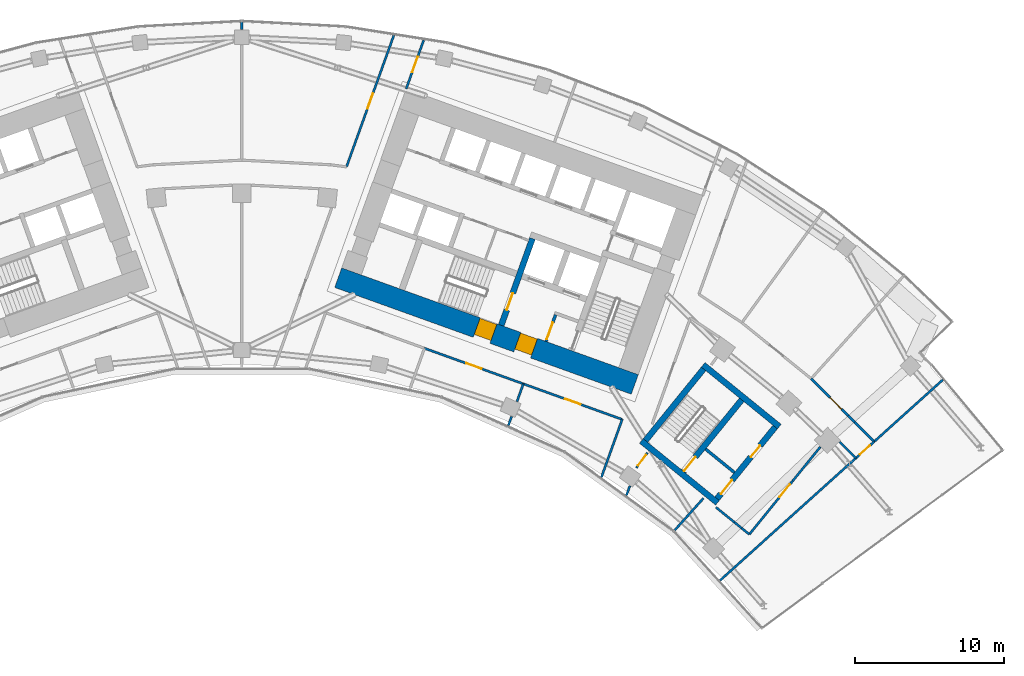
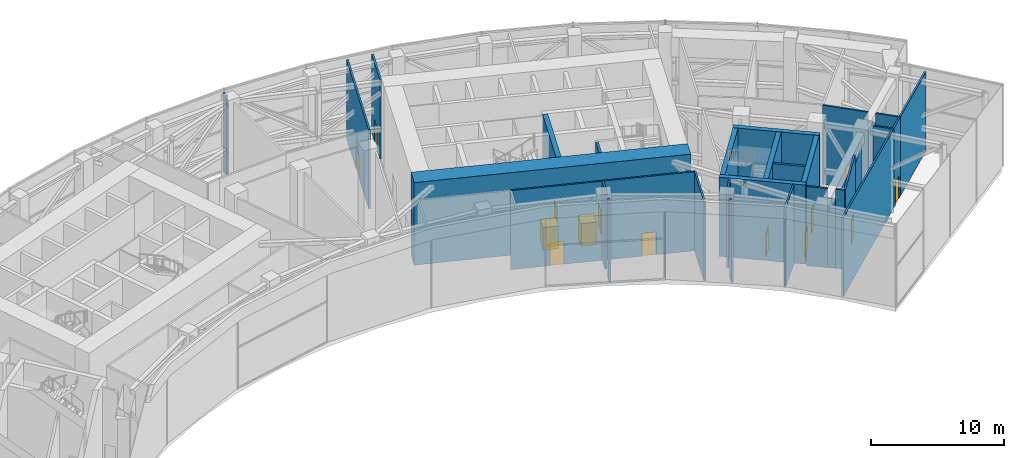
# One storey, part 26 of 32: 32 walls, 15 doors, 15 openings.
"""IFC4 building model written with IfcOpenShell, lengths in metres."""

from ifc_helpers import new_model, si_unit, direction, frame, frame_2d, origin, place, context, subcontext, project, spatial, rectangle, extrude, material, layer, layer_set, type_object, element, fill, save


model = new_model("IFC4")

# Units and contexts
model_context = context("Model", 3, precision=1e-05, world=origin(), true_north=direction((0.0, 1.0)))
body_context = subcontext(model_context, "Body", "Model", "MODEL_VIEW")
ifc_project = project(units=[si_unit("LENGTHUNIT", "METRE"), si_unit("AREAUNIT", "SQUARE_METRE"), si_unit("VOLUMEUNIT", "CUBIC_METRE"), si_unit("PLANEANGLEUNIT", "RADIAN"), si_unit("MASSUNIT", "GRAM", prefix="KILO")], contexts=[model_context])

# Site, building, storey
site_placement = place(None, origin())
site = spatial("IfcSite", under=ifc_project, at=site_placement, CompositionType="ELEMENT")
building_placement = place(site_placement, origin())
building = spatial("IfcBuilding", under=site, at=building_placement, Name="Stone Belt Terrace Tower", CompositionType="ELEMENT")
storey_placement = place(building_placement, frame((0.0, 0.0, 193.39990234375)))
storey = spatial("IfcBuildingStorey", under=building, at=storey_placement, Name="L47", CompositionType="ELEMENT", Elevation=193.39990234375)

# Wall, openings, doors
ifc_material_1 = material(Name="Concrete B80", Category="concrete")
ifc_layer_1 = layer(ifc_material_1, 1.39990234375)
ifc_layer_set_1 = layer_set([ifc_layer_1], Name="Core wall 1400 B80")
wall_type_1 = type_object("IfcWallType", Name="Core wall 1400 B80", PredefinedType="SHEAR", material=ifc_layer_set_1)
wall_1_placement = place(storey_placement, frame((6.4833984375, 49.318115234375, 0.0), z_axis=(0.0, 0.0, 1.0), x_axis=(0.940923374003, -0.33861955681, 0.0)))
wall_1 = element("IfcWall", 1, at=wall_1_placement, inside=storey, type_object=wall_type_1, Name="Core B wall concave L47", PredefinedType="SHEAR", context=body_context, shape_type="SweptSolid", body=[
    extrude(rectangle(XDim=21.199951171875, YDim=1.39990234375, at=frame_2d((10.60009765625, 0.0))), origin(), (0.0, 0.0, 1.0), 7.60009765625),
])
opening_1_placement = place(wall_1_placement, frame((12.800048828125, 0.0, 0.0)))
opening_1 = element("IfcOpeningElement", 2, at=opening_1_placement, cuts=wall_1, Name="Opening L47-C21", PredefinedType="OPENING", context=body_context, shape_type="SweptSolid", body=[
    extrude(rectangle(XDim=1.199951171875, YDim=2.10009765625, at=frame_2d((0.60009765625, 1.050048828125))), frame((0.0, 0.7099609375, 0.0), z_axis=(0.0, -1.0, 0.0), x_axis=(1.0, 0.0, 0.0)), (0.0, 0.0, 1.0), 1.419921875),
])
opening_2_placement = place(wall_1_placement, frame((9.89990234375, 0.0, 0.0)))
opening_2 = element("IfcOpeningElement", 3, at=opening_2_placement, cuts=wall_1, Name="Opening L47-C23", PredefinedType="OPENING", context=body_context, shape_type="SweptSolid", body=[
    extrude(rectangle(XDim=1.199951171875, YDim=2.10009765625, at=frame_2d((0.60009765625, 1.050048828125))), frame((0.0, 0.7099609375, 0.0), z_axis=(0.0, -1.0, 0.0), x_axis=(1.0, 0.0, 0.0)), (0.0, 0.0, 1.0), 1.419921875),
])
ifc_material_2 = material(Name="Steel door leaf", Category="steel")
door_type_1 = type_object("IfcDoorType", Name="Fire-fighting lobby door 1200", OperationType="SINGLE_SWING_LEFT", PredefinedType="DOOR", material=ifc_material_2)
door_1_placement = place(opening_1_placement, origin())
door_1 = element("IfcDoor", 4, at=door_1_placement, inside=storey, type_object=door_type_1, Name="Fire-fighting lobby door core B", OperationType="SINGLE_SWING_LEFT", OverallHeight=2.10009765625, OverallWidth=1.199951171875, PredefinedType="DOOR", context=body_context, shape_type="SweptSolid", body=[
    extrude(rectangle(XDim=1.199951171875, YDim=2.10009765625, at=frame_2d((0.60009765625, 1.050048828125))), frame((0.0, 0.655029296875, 0.0), z_axis=(0.0, -1.0, 0.0), x_axis=(1.0, 0.0, 0.0)), (0.0, 0.0, 1.0), 1.14990234375),
])
fill(opening_1, door_1)
door_type_2 = type_object("IfcDoorType", Name="Stair door 1200", OperationType="SINGLE_SWING_LEFT", PredefinedType="DOOR", material=ifc_material_2)
door_2_placement = place(opening_2_placement, origin())
door_2 = element("IfcDoor", 5, at=door_2_placement, inside=storey, type_object=door_type_2, Name="Stair 2 exit door core B", OperationType="SINGLE_SWING_RIGHT", OverallHeight=2.10009765625, OverallWidth=1.199951171875, PredefinedType="DOOR", context=body_context, shape_type="SweptSolid", body=[
    extrude(rectangle(XDim=1.199951171875, YDim=2.10009765625, at=frame_2d((0.60009765625, 1.050048828125))), frame((0.0, 0.655029296875, 0.0), z_axis=(0.0, -1.0, 0.0), x_axis=(1.0, 0.0, 0.0)), (0.0, 0.0, 1.0), 1.14990234375),
])
fill(opening_2, door_2)

# Wall, opening, door
ifc_material_3 = material(Name="Gypsum board partition")
ifc_layer_2 = layer(ifc_material_3, 0.14990234375)
ifc_layer_set_2 = layer_set([ifc_layer_2], Name="PARTITION 150 EI 60")
wall_type_2 = type_object("IfcWallType", Name="PARTITION 150 EI 60", PredefinedType="PARTITIONING", material=ifc_layer_set_2)
wall_2_placement = place(storey_placement, frame((12.23486328125, 65.297119140625, 0.0), z_axis=(0.0, 0.0, 1.0), x_axis=(-0.338853532575, -0.94083913793, 0.0)))
wall_2 = element("IfcWall", 6, at=wall_2_placement, inside=storey, type_object=wall_type_2, Name="L47/wall/i020", PredefinedType="PARTITIONING", context=body_context, shape_type="SweptSolid", body=[
    extrude(rectangle(XDim=3.482177734375, YDim=0.14990234375, at=frame_2d((1.7412109375, 0.0))), origin(), (0.0, 0.0, 1.0), 7.280029296875),
])
opening_3_placement = place(wall_2_placement, frame((1.19091796875, 0.0, 0.0)))
opening_3 = element("IfcOpeningElement", 7, at=opening_3_placement, cuts=wall_2, Name="Opening D-T3-09", PredefinedType="OPENING", context=body_context, shape_type="SweptSolid", body=[
    extrude(rectangle(XDim=1.10009765625, YDim=2.10009765625, at=frame_2d((0.550048828125, 1.050048828125))), frame((0.0, 0.0849609375, 0.0), z_axis=(0.0, -1.0, 0.0), x_axis=(1.0, 0.0, 0.0)), (0.0, 0.0, 1.0), 0.169921875),
])
ifc_material_4 = material(Name="Steel fire door set", Category="steel")
door_type_3 = type_object("IfcDoorType", Name="SERVICE ROOM DOOR 1100 X 2100", OperationType="NOTDEFINED", PredefinedType="DOOR", material=ifc_material_4)
door_3_placement = place(opening_3_placement, origin())
door_3 = element("IfcDoor", 8, at=door_3_placement, inside=storey, type_object=door_type_3, Name="L47/door/i09", OperationType="SINGLE_SWING_RIGHT", OverallHeight=2.10009765625, OverallWidth=1.10009765625, PredefinedType="DOOR", context=body_context, shape_type="SweptSolid", body=[
    extrude(rectangle(XDim=1.10009765625, YDim=2.10009765625, at=frame_2d((0.550048828125, 1.050048828125))), frame((0.0, 0.02490234375, 0.0), z_axis=(0.0, -1.0, 0.0), x_axis=(1.0, 0.0, 0.0)), (0.0, 0.0, 1.0), 0.050048828125),
])
fill(opening_3, door_3)

wall_3_placement = place(storey_placement, frame((7.0390625, 56.76708984375, 0.0), z_axis=(0.0, 0.0, 1.0), x_axis=(0.338637655092, 0.940916860596, 0.0)))
wall_3 = element("IfcWall", 9, at=wall_3_placement, inside=storey, type_object=wall_type_2, Name="L47/wall/i022", PredefinedType="PARTITIONING", context=body_context, shape_type="SweptSolid", body=[
    extrude(rectangle(XDim=9.40478515625, YDim=0.14990234375, at=frame_2d((4.702392578125, 0.0))), origin(), (0.0, 0.0, 1.0), 7.280029296875),
])
opening_4_placement = place(wall_3_placement, frame((4.15234375, 0.0, 0.0)))
opening_4 = element("IfcOpeningElement", 10, at=opening_4_placement, cuts=wall_3, Name="Opening D-T3-29", PredefinedType="OPENING", context=body_context, shape_type="SweptSolid", body=[
    extrude(rectangle(XDim=1.10009765625, YDim=2.10009765625, at=frame_2d((0.550048828125, 1.050048828125))), frame((0.0, 0.0849609375, 0.0), z_axis=(0.0, -1.0, 0.0), x_axis=(1.0, 0.0, 0.0)), (0.0, 0.0, 1.0), 0.169921875),
])
door_4_placement = place(opening_4_placement, origin())
door_4 = element("IfcDoor", 11, at=door_4_placement, inside=storey, type_object=door_type_3, Name="L47/door/i29", OperationType="SINGLE_SWING_RIGHT", OverallHeight=2.10009765625, OverallWidth=1.10009765625, PredefinedType="DOOR", context=body_context, shape_type="SweptSolid", body=[
    extrude(rectangle(XDim=1.10009765625, YDim=2.10009765625, at=frame_2d((0.550048828125, 1.050048828125))), frame((0.0, 0.02490234375, 0.0), z_axis=(0.0, -1.0, 0.0), x_axis=(1.0, 0.0, 0.0)), (0.0, 0.0, 1.0), 0.050048828125),
])
fill(opening_4, door_4)

# Wall
wall_4_placement = place(storey_placement, frame((24.18603515625, 35.902099609375, 0.0), z_axis=(0.0, 0.0, 1.0), x_axis=(0.338545933013, 0.940949866486, 0.0)))
element("IfcWall", 12, at=wall_4_placement, inside=storey, type_object=wall_type_2, Name="L47/wall/i023", PredefinedType="PARTITIONING", context=body_context, shape_type="SweptSolid", body=[
    extrude(rectangle(XDim=4.135009765625, YDim=0.14990234375, at=frame_2d((2.0673828125, 0.0))), origin(), (0.0, 0.0, 1.0), 7.280029296875),
])

# Wall, opening, door
wall_5_placement = place(storey_placement, frame((27.282958984375, 37.552001953125, 0.0), z_axis=(0.0, 0.0, 1.0), x_axis=(-0.587851817093, -0.808968628032, 0.0)))
wall_5 = element("IfcWall", 13, at=wall_5_placement, inside=storey, type_object=wall_type_2, Name="L47/wall/i026", PredefinedType="PARTITIONING", context=body_context, shape_type="SweptSolid", body=[
    extrude(rectangle(XDim=1.270751953125, YDim=0.14990234375, at=frame_2d((0.63525390625, 0.0))), origin(), (0.0, 0.0, 1.0), 7.280029296875),
])
opening_5_placement = place(wall_5_placement, frame((0.185302734375, 0.0, 0.0)))
opening_5 = element("IfcOpeningElement", 14, at=opening_5_placement, cuts=wall_5, Name="Opening D-T3-21", PredefinedType="OPENING", context=body_context, shape_type="SweptSolid", body=[
    extrude(rectangle(XDim=0.89990234375, YDim=2.10009765625, at=frame_2d((0.449951171875, 1.050048828125))), frame((0.0, 0.0849609375, 0.0), z_axis=(0.0, -1.0, 0.0), x_axis=(1.0, 0.0, 0.0)), (0.0, 0.0, 1.0), 0.169921875),
])
door_type_4 = type_object("IfcDoorType", Name="SERVICE ROOM DOOR 900 X 2100", OperationType="NOTDEFINED", PredefinedType="DOOR", material=ifc_material_4)
door_5_placement = place(opening_5_placement, origin())
door_5 = element("IfcDoor", 15, at=door_5_placement, inside=storey, type_object=door_type_4, Name="L47/door/i21", OperationType="SINGLE_SWING_RIGHT", OverallHeight=2.10009765625, OverallWidth=0.89990234375, PredefinedType="DOOR", context=body_context, shape_type="SweptSolid", body=[
    extrude(rectangle(XDim=0.89990234375, YDim=2.10009765625, at=frame_2d((0.449951171875, 1.050048828125))), frame((0.0, 0.02490234375, 0.0), z_axis=(0.0, -1.0, 0.0), x_axis=(1.0, 0.0, 0.0)), (0.0, 0.0, 1.0), 0.050048828125),
])
fill(opening_5, door_5)

# Wall
wall_6_placement = place(storey_placement, frame((26.101318359375, 35.318115234375, 0.0), z_axis=(0.0, 0.0, 1.0), x_axis=(-0.339176971689, -0.940722584972, 0.0)))
element("IfcWall", 16, at=wall_6_placement, inside=storey, type_object=wall_type_2, Name="L47/wall/i027", PredefinedType="PARTITIONING", context=body_context, shape_type="SweptSolid", body=[
    extrude(rectangle(XDim=0.68017578125, YDim=0.14990234375, at=frame_2d((0.340087890625, 0.0))), origin(), (0.0, 0.0, 1.0), 7.280029296875),
])

# Wall, opening, door
wall_7_placement = place(storey_placement, frame((18.94091796875, 42.177978515625, 0.0), z_axis=(0.0, 0.0, 1.0), x_axis=(-0.940930050063, 0.338601005444, 0.0)))
wall_7 = element("IfcWall", 17, at=wall_7_placement, inside=storey, type_object=wall_type_2, Name="L47/wall/i030", PredefinedType="PARTITIONING", context=body_context, shape_type="SweptSolid", body=[
    extrude(rectangle(XDim=7.0791015625, YDim=0.14990234375, at=frame_2d((3.53955078125, 0.0))), origin(), (0.0, 0.0, 1.0), 7.280029296875),
])
opening_6_placement = place(wall_7_placement, frame((2.989501953125, 0.0, 0.0)))
opening_6 = element("IfcOpeningElement", 18, at=opening_6_placement, cuts=wall_7, Name="Opening D-T3-07", PredefinedType="OPENING", context=body_context, shape_type="SweptSolid", body=[
    extrude(rectangle(XDim=1.10009765625, YDim=2.10009765625, at=frame_2d((0.550048828125, 1.050048828125))), frame((0.0, 0.0849609375, 0.0), z_axis=(0.0, -1.0, 0.0), x_axis=(1.0, 0.0, 0.0)), (0.0, 0.0, 1.0), 0.169921875),
])
door_6_placement = place(opening_6_placement, origin())
door_6 = element("IfcDoor", 19, at=door_6_placement, inside=storey, type_object=door_type_3, Name="L47/door/i07", OperationType="SINGLE_SWING_RIGHT", OverallHeight=2.10009765625, OverallWidth=1.10009765625, PredefinedType="DOOR", context=body_context, shape_type="SweptSolid", body=[
    extrude(rectangle(XDim=1.10009765625, YDim=2.10009765625, at=frame_2d((0.550048828125, 1.050048828125))), frame((0.0, 0.02490234375, 0.0), z_axis=(0.0, -1.0, 0.0), x_axis=(1.0, 0.0, 0.0)), (0.0, 0.0, 1.0), 0.050048828125),
])
fill(opening_6, door_6)

wall_8_placement = place(storey_placement, frame((25.583984375, 39.787109375, 0.0), z_axis=(0.0, 0.0, 1.0), x_axis=(-0.940934046642, 0.338589899245, 0.0)))
wall_8 = element("IfcWall", 20, at=wall_8_placement, inside=storey, type_object=wall_type_2, Name="L47/wall/i031", PredefinedType="PARTITIONING", context=body_context, shape_type="SweptSolid", body=[
    extrude(rectangle(XDim=7.07275390625, YDim=0.14990234375, at=frame_2d((3.536376953125, 0.0))), origin(), (0.0, 0.0, 1.0), 7.280029296875),
])
opening_7_placement = place(wall_8_placement, frame((2.986328125, 0.0, 0.0)))
opening_7 = element("IfcOpeningElement", 21, at=opening_7_placement, cuts=wall_8, Name="Opening D-T3-08", PredefinedType="OPENING", context=body_context, shape_type="SweptSolid", body=[
    extrude(rectangle(XDim=1.10009765625, YDim=2.10009765625, at=frame_2d((0.550048828125, 1.050048828125))), frame((0.0, 0.0849609375, 0.0), z_axis=(0.0, -1.0, 0.0), x_axis=(1.0, 0.0, 0.0)), (0.0, 0.0, 1.0), 0.169921875),
])
door_7_placement = place(opening_7_placement, origin())
door_7 = element("IfcDoor", 22, at=door_7_placement, inside=storey, type_object=door_type_3, Name="L47/door/i08", OperationType="SINGLE_SWING_LEFT", OverallHeight=2.10009765625, OverallWidth=1.10009765625, PredefinedType="DOOR", context=body_context, shape_type="SweptSolid", body=[
    extrude(rectangle(XDim=1.10009765625, YDim=2.10009765625, at=frame_2d((0.550048828125, 1.050048828125))), frame((0.0, 0.02490234375, 0.0), z_axis=(0.0, -1.0, 0.0), x_axis=(1.0, 0.0, 0.0)), (0.0, 0.0, 1.0), 0.050048828125),
])
fill(opening_7, door_7)

# Walls
wall_9_placement = place(storey_placement, frame((18.93505859375, 42.179931640625, 0.0), z_axis=(0.0, 0.0, 1.0), x_axis=(-0.338575757839, -0.940939135228, 0.0)))
element("IfcWall", 23, at=wall_9_placement, inside=storey, type_object=wall_type_2, Name="L47/wall/i033", PredefinedType="PARTITIONING", context=body_context, shape_type="SweptSolid", body=[
    extrude(rectangle(XDim=1.263427734375, YDim=0.14990234375, at=frame_2d((0.6318359375, 0.0))), origin(), (0.0, 0.0, 1.0), 7.280029296875),
])
wall_10_placement = place(storey_placement, frame((18.147705078125, 39.990966796875, 0.0), z_axis=(0.0, 0.0, 1.0), x_axis=(-0.338838262821, -0.94084463736, 0.0)))
element("IfcWall", 24, at=wall_10_placement, inside=storey, type_object=wall_type_2, Name="L47/wall/i034", PredefinedType="PARTITIONING", context=body_context, shape_type="SweptSolid", body=[
    extrude(rectangle(XDim=0.655029296875, YDim=0.14990234375, at=frame_2d((0.32763671875, 0.0))), origin(), (0.0, 0.0, 1.0), 7.280029296875),
])

# Wall, opening, door
wall_11_placement = place(storey_placement, frame((42.530029296875, 38.294921875, 0.0), z_axis=(0.0, 0.0, 1.0), x_axis=(-0.74296518681, -0.669330061471, 0.0)))
wall_11 = element("IfcWall", 25, at=wall_11_placement, inside=storey, type_object=wall_type_2, Name="L47/wall/i058", PredefinedType="PARTITIONING", context=body_context, shape_type="SweptSolid", body=[
    extrude(rectangle(XDim=1.6611328125, YDim=0.14990234375, at=frame_2d((0.83056640625, 0.0))), origin(), (0.0, 0.0, 1.0), 7.280029296875),
])
opening_8_placement = place(wall_11_placement, frame((0.380615234375, 0.0, 0.0)))
opening_8 = element("IfcOpeningElement", 26, at=opening_8_placement, cuts=wall_11, Name="Opening D-T3-19", PredefinedType="OPENING", context=body_context, shape_type="SweptSolid", body=[
    extrude(rectangle(XDim=0.89990234375, YDim=2.10009765625, at=frame_2d((0.449951171875, 1.050048828125))), frame((0.0, 0.0849609375, 0.0), z_axis=(0.0, -1.0, 0.0), x_axis=(1.0, 0.0, 0.0)), (0.0, 0.0, 1.0), 0.169921875),
])
door_8_placement = place(opening_8_placement, origin())
door_8 = element("IfcDoor", 27, at=door_8_placement, inside=storey, type_object=door_type_4, Name="L47/door/i19", OperationType="SINGLE_SWING_RIGHT", OverallHeight=2.10009765625, OverallWidth=0.89990234375, PredefinedType="DOOR", context=body_context, shape_type="SweptSolid", body=[
    extrude(rectangle(XDim=0.89990234375, YDim=2.10009765625, at=frame_2d((0.449951171875, 1.050048828125))), frame((0.0, 0.02490234375, 0.0), z_axis=(0.0, -1.0, 0.0), x_axis=(1.0, 0.0, 0.0)), (0.0, 0.0, 1.0), 0.050048828125),
])
fill(opening_8, door_8)

# Walls
wall_12_placement = place(storey_placement, frame((32.1630859375, 28.959716796875, 0.0), z_axis=(0.0, 0.0, 1.0), x_axis=(0.743115490988, 0.669163184174, 0.0)))
element("IfcWall", 28, at=wall_12_placement, inside=storey, type_object=wall_type_2, Name="L47/wall/i059", PredefinedType="PARTITIONING", context=body_context, shape_type="SweptSolid", body=[
    extrude(rectangle(XDim=12.30078125, YDim=0.14990234375, at=frame_2d((6.150390625, 0.0))), origin(), (0.0, 0.0, 1.0), 7.280029296875),
])
wall_13_placement = place(storey_placement, frame((42.52197265625, 38.287109375, 0.0), z_axis=(0.0, 0.0, 1.0), x_axis=(0.74309115833, 0.669190204958, 0.0)))
element("IfcWall", 29, at=wall_13_placement, inside=storey, type_object=wall_type_2, Name="L47/wall/i060", PredefinedType="PARTITIONING", context=body_context, shape_type="SweptSolid", body=[
    extrude(rectangle(XDim=6.220703125, YDim=0.14990234375, at=frame_2d((3.1103515625, 0.0))), origin(), (0.0, 0.0, 1.0), 7.280029296875),
])
wall_14_placement = place(storey_placement, frame((41.300048828125, 37.18701171875, 0.0), z_axis=(0.0, 0.0, 1.0), x_axis=(-0.707106781187, 0.707106781187, 0.0)))
element("IfcWall", 30, at=wall_14_placement, inside=storey, type_object=wall_type_2, Name="L47/wall/i063", PredefinedType="PARTITIONING", context=body_context, shape_type="SweptSolid", body=[
    extrude(rectangle(XDim=1.538818359375, YDim=0.14990234375, at=frame_2d((0.76953125, 0.0))), origin(), (0.0, 0.0, 1.0), 7.280029296875),
])

# Wall, opening, door
wall_15_placement = place(storey_placement, frame((38.291015625, 42.52587890625, 0.0), z_axis=(0.0, 0.0, 1.0), x_axis=(0.707141471342, -0.707072089329, 0.0)))
wall_15 = element("IfcWall", 31, at=wall_15_placement, inside=storey, type_object=wall_type_2, Name="L47/wall/i066-1", PredefinedType="PARTITIONING", context=body_context, shape_type="SweptSolid", body=[
    extrude(rectangle(XDim=3.518798828125, YDim=0.14990234375, at=frame_2d((1.75927734375, 0.0))), origin(), (0.0, 0.0, 1.0), 7.280029296875),
])
opening_9_placement = place(wall_15_placement, frame((1.80126953125, 0.0, 0.0)))
opening_9 = element("IfcOpeningElement", 32, at=opening_9_placement, cuts=wall_15, Name="Opening D-T3-25", PredefinedType="OPENING", context=body_context, shape_type="SweptSolid", body=[
    extrude(rectangle(XDim=1.10009765625, YDim=2.10009765625, at=frame_2d((0.550048828125, 1.050048828125))), frame((0.0, 0.0849609375, 0.0), z_axis=(0.0, -1.0, 0.0), x_axis=(1.0, 0.0, 0.0)), (0.0, 0.0, 1.0), 0.169921875),
])
door_9_placement = place(opening_9_placement, origin())
door_9 = element("IfcDoor", 33, at=door_9_placement, inside=storey, type_object=door_type_3, Name="L47/door/i25", OperationType="SINGLE_SWING_LEFT", OverallHeight=2.10009765625, OverallWidth=1.10009765625, PredefinedType="DOOR", context=body_context, shape_type="SweptSolid", body=[
    extrude(rectangle(XDim=1.10009765625, YDim=2.10009765625, at=frame_2d((0.550048828125, 1.050048828125))), frame((0.0, 0.02490234375, 0.0), z_axis=(0.0, -1.0, 0.0), x_axis=(1.0, 0.0, 0.0)), (0.0, 0.0, 1.0), 0.050048828125),
])
fill(opening_9, door_9)

# Walls
wall_16_placement = place(storey_placement, frame((40.779296875, 40.037841796875, 0.0), z_axis=(0.0, 0.0, 1.0), x_axis=(0.707106781187, -0.707106781187, 0.0)))
element("IfcWall", 34, at=wall_16_placement, inside=storey, type_object=wall_type_2, Name="L47/wall/i066-2", PredefinedType="PARTITIONING", context=body_context, shape_type="SweptSolid", body=[
    extrude(rectangle(XDim=0.609375, YDim=0.14990234375, at=frame_2d((0.3046875, 0.0))), origin(), (0.0, 0.0, 1.0), 6.380126953125),
])
wall_17_placement = place(storey_placement, frame((41.210205078125, 39.60693359375, 0.0), z_axis=(0.0, 0.0, 1.0), x_axis=(0.707041177737, -0.70717237855, 0.0)))
element("IfcWall", 35, at=wall_17_placement, inside=storey, type_object=wall_type_2, Name="L47/wall/i066-3", PredefinedType="PARTITIONING", context=body_context, shape_type="SweptSolid", body=[
    extrude(rectangle(XDim=1.86083984375, YDim=0.14990234375, at=frame_2d((0.930419921875, 0.0))), origin(), (0.0, 0.0, 1.0), 7.280029296875),
])
wall_18_placement = place(storey_placement, frame((38.9091796875, 37.940185546875, 0.0), z_axis=(0.0, 0.0, 1.0), x_axis=(-0.63019707356, -0.776435218468, 0.0)))
element("IfcWall", 36, at=wall_18_placement, inside=storey, type_object=wall_type_2, Name="L47/wall/i067-1", PredefinedType="PARTITIONING", context=body_context, shape_type="SweptSolid", body=[
    extrude(rectangle(XDim=2.95166015625, YDim=0.14990234375, at=frame_2d((1.475830078125, 0.0))), origin(), (0.0, 0.0, 1.0), 6.380126953125),
])

# Wall, opening, door
wall_19_placement = place(storey_placement, frame((37.049072265625, 35.6484375, 0.0), z_axis=(0.0, 0.0, 1.0), x_axis=(-0.630213145591, -0.776422173256, 0.0)))
wall_19 = element("IfcWall", 37, at=wall_19_placement, inside=storey, type_object=wall_type_2, Name="L47/wall/i067-2", PredefinedType="PARTITIONING", context=body_context, shape_type="SweptSolid", body=[
    extrude(rectangle(XDim=4.626953125, YDim=0.14990234375, at=frame_2d((2.3134765625, 0.0))), origin(), (0.0, 0.0, 1.0), 7.280029296875),
])
opening_10_placement = place(wall_19_placement, frame((0.287841796875, 0.0, 0.0)))
opening_10 = element("IfcOpeningElement", 38, at=opening_10_placement, cuts=wall_19, Name="Opening D-T3-22", PredefinedType="OPENING", context=body_context, shape_type="SweptSolid", body=[
    extrude(rectangle(XDim=1.10009765625, YDim=2.10009765625, at=frame_2d((0.550048828125, 1.050048828125))), frame((0.0, 0.0849609375, 0.0), z_axis=(0.0, -1.0, 0.0), x_axis=(1.0, 0.0, 0.0)), (0.0, 0.0, 1.0), 0.169921875),
])
door_10_placement = place(opening_10_placement, origin())
door_10 = element("IfcDoor", 39, at=door_10_placement, inside=storey, type_object=door_type_3, Name="L47/door/i22", OperationType="SINGLE_SWING_RIGHT", OverallHeight=2.10009765625, OverallWidth=1.10009765625, PredefinedType="DOOR", context=body_context, shape_type="SweptSolid", body=[
    extrude(rectangle(XDim=1.10009765625, YDim=2.10009765625, at=frame_2d((0.550048828125, 1.050048828125))), frame((0.0, 0.02490234375, 0.0), z_axis=(0.0, -1.0, 0.0), x_axis=(1.0, 0.0, 0.0)), (0.0, 0.0, 1.0), 0.050048828125),
])
fill(opening_10, door_10)

# Walls
wall_20_placement = place(storey_placement, frame((34.133056640625, 32.055908203125, 0.0), z_axis=(0.0, 0.0, 1.0), x_axis=(-0.776382776891, 0.630261678787, 0.0)))
element("IfcWall", 40, at=wall_20_placement, inside=storey, type_object=wall_type_2, Name="L47/wall/i068-1", PredefinedType="PARTITIONING", context=body_context, shape_type="SweptSolid", body=[
    extrude(rectangle(XDim=0.666748046875, YDim=0.14990234375, at=frame_2d((0.33349609375, 0.0))), origin(), (0.0, 0.0, 1.0), 7.280029296875),
])
wall_21_placement = place(storey_placement, frame((33.615478515625, 32.47607421875, 0.0), z_axis=(0.0, 0.0, 1.0), x_axis=(-0.776424825261, 0.630209878309, 0.0)))
element("IfcWall", 41, at=wall_21_placement, inside=storey, type_object=wall_type_2, Name="L47/wall/i068-2", PredefinedType="PARTITIONING", context=body_context, shape_type="SweptSolid", body=[
    extrude(rectangle(XDim=0.62451171875, YDim=0.14990234375, at=frame_2d((0.312255859375, 0.0))), origin(), (0.0, 0.0, 1.0), 6.380126953125),
])
wall_22_placement = place(storey_placement, frame((33.130615234375, 32.86962890625, 0.0), z_axis=(0.0, 0.0, 1.0), x_axis=(-0.77634313959, 0.630310502539, 0.0)))
element("IfcWall", 42, at=wall_22_placement, inside=storey, type_object=wall_type_2, Name="L47/wall/i068-3", PredefinedType="PARTITIONING", context=body_context, shape_type="SweptSolid", body=[
    extrude(rectangle(XDim=1.5966796875, YDim=0.14990234375, at=frame_2d((0.79833984375, 0.0))), origin(), (0.0, 0.0, 1.0), 7.280029296875),
])
wall_23_placement = place(storey_placement, frame((31.054931640625, 34.489990234375, 0.0), z_axis=(0.0, 0.0, 1.0), x_axis=(-0.669108362487, -0.743164853347, 0.0)))
element("IfcWall", 43, at=wall_23_placement, inside=storey, type_object=wall_type_2, Name="L47/wall/i069", PredefinedType="PARTITIONING", context=body_context, shape_type="SweptSolid", body=[
    extrude(rectangle(XDim=2.910888671875, YDim=0.14990234375, at=frame_2d((1.45556640625, 0.0))), origin(), (0.0, 0.0, 1.0), 7.280029296875),
])
wall_24_placement = place(storey_placement, frame((0.0, 66.5, 0.0), z_axis=(0.0, 0.0, 1.0), x_axis=(0.0, -1.0, 0.0)))
element("IfcWall", 44, at=wall_24_placement, inside=storey, type_object=wall_type_2, Name="L47/wall/i080", PredefinedType="PARTITIONING", context=body_context, shape_type="SweptSolid", body=[
    extrude(rectangle(XDim=0.481201171875, YDim=0.14990234375, at=frame_2d((0.24072265625, 0.0))), origin(), (0.0, 0.0, 1.0), 7.280029296875),
])

# Wall, opening, door
ifc_material_5 = material(Name="Concrete masonry block", Category="masonry")
ifc_layer_3 = layer(ifc_material_5, 0.199951171875)
ifc_layer_set_3 = layer_set([ifc_layer_3], Name="Rated lobby wall 200")
wall_type_3 = type_object("IfcWallType", Name="Rated lobby wall 200", PredefinedType="PARTITIONING", material=ifc_layer_set_3)
wall_25_placement = place(storey_placement, frame((20.4580078125, 45.032958984375, 0.0), z_axis=(0.0, 0.0, 1.0), x_axis=(0.338573865316, 0.940939816208, 0.0)))
wall_25 = element("IfcWall", 45, at=wall_25_placement, inside=storey, type_object=wall_type_3, Name="Core B wall", PredefinedType="PARTITIONING", context=body_context, shape_type="SweptSolid", body=[
    extrude(rectangle(XDim=1.900146484375, YDim=0.199951171875, at=frame_2d((0.9501953125, 0.0))), origin(), (0.0, 0.0, 1.0), 7.280029296875),
])
opening_11_placement = place(wall_25_placement, frame((0.14990234375, 0.0, 0.0)))
opening_11 = element("IfcOpeningElement", 46, at=opening_11_placement, cuts=wall_25, Name="Opening L47-C20", PredefinedType="OPENING", context=body_context, shape_type="SweptSolid", body=[
    extrude(rectangle(XDim=1.199951171875, YDim=2.10009765625, at=frame_2d((0.60009765625, 1.050048828125))), frame((0.0, 0.10986328125, 0.0), z_axis=(0.0, -1.0, 0.0), x_axis=(1.0, 0.0, 0.0)), (0.0, 0.0, 1.0), 0.219970703125),
])
door_11_placement = place(opening_11_placement, origin())
door_11 = element("IfcDoor", 47, at=door_11_placement, inside=storey, type_object=door_type_2, Name="Stair airlock door core B", OperationType="SINGLE_SWING_LEFT", OverallHeight=2.10009765625, OverallWidth=1.199951171875, PredefinedType="DOOR", context=body_context, shape_type="SweptSolid", body=[
    extrude(rectangle(XDim=1.199951171875, YDim=2.10009765625, at=frame_2d((0.60009765625, 1.050048828125))), frame((0.0, 0.02490234375, 0.0), z_axis=(0.0, -1.0, 0.0), x_axis=(1.0, 0.0, 0.0)), (0.0, 0.0, 1.0), 0.050048828125),
])
fill(opening_11, door_11)

# Wall
wall_26_placement = place(storey_placement, frame((31.190673828125, 37.79296875, 0.0), z_axis=(0.0, 0.0, 1.0), x_axis=(0.776370830301, -0.630276394813, 0.0)))
element("IfcWall", 48, at=wall_26_placement, inside=storey, type_object=wall_type_3, Name="Exit stair ST3B wall", PredefinedType="PARTITIONING", context=body_context, shape_type="SweptSolid", body=[
    extrude(rectangle(XDim=2.5, YDim=0.199951171875, at=frame_2d((1.25, 0.0))), origin(), (0.0, 0.0, 1.0), 7.280029296875),
])

# Wall, opening, door
ifc_layer_4 = layer(ifc_material_1, 0.39990234375)
ifc_layer_set_4 = layer_set([ifc_layer_4], Name="Stair enclosure wall 400")
wall_type_4 = type_object("IfcWallType", Name="Stair enclosure wall 400", PredefinedType="SHEAR", material=ifc_layer_set_4)
wall_27_placement = place(storey_placement, frame((17.447021484375, 46.116455078125, 0.0), z_axis=(0.0, 0.0, 1.0), x_axis=(0.33860791464, 0.940927563707, 0.0)))
wall_27 = element("IfcWall", 49, at=wall_27_placement, inside=storey, type_object=wall_type_4, Name="Core B wall", PredefinedType="SHEAR", context=body_context, shape_type="SweptSolid", body=[
    extrude(rectangle(XDim=6.199951171875, YDim=0.39990234375, at=frame_2d((3.10009765625, 0.0))), origin(), (0.0, 0.0, 1.0), 7.280029296875),
])
opening_12_placement = place(wall_27_placement, frame((1.10009765625, 0.0, 0.0)))
opening_12 = element("IfcOpeningElement", 50, at=opening_12_placement, cuts=wall_27, Name="Opening L47-C22", PredefinedType="OPENING", context=body_context, shape_type="SweptSolid", body=[
    extrude(rectangle(XDim=1.199951171875, YDim=2.10009765625, at=frame_2d((0.60009765625, 1.050048828125))), frame((0.0, 0.2099609375, 0.0), z_axis=(0.0, -1.0, 0.0), x_axis=(1.0, 0.0, 0.0)), (0.0, 0.0, 1.0), 0.419921875),
])
door_12_placement = place(opening_12_placement, origin())
door_12 = element("IfcDoor", 51, at=door_12_placement, inside=storey, type_object=door_type_2, Name="Stair 2 door core B", OperationType="SINGLE_SWING_LEFT", OverallHeight=2.10009765625, OverallWidth=1.199951171875, PredefinedType="DOOR", context=body_context, shape_type="SweptSolid", body=[
    extrude(rectangle(XDim=1.199951171875, YDim=2.10009765625, at=frame_2d((0.60009765625, 1.050048828125))), frame((0.0, 0.02490234375, 0.0), z_axis=(0.0, -1.0, 0.0), x_axis=(1.0, 0.0, 0.0)), (0.0, 0.0, 1.0), 0.050048828125),
])
fill(opening_12, door_12)

# Walls
wall_28_placement = place(storey_placement, frame((26.868408203125, 38.3388671875, 0.0), z_axis=(0.0, 0.0, 1.0), x_axis=(0.776428452498, -0.630205409491, 0.0)))
element("IfcWall", 52, at=wall_28_placement, inside=storey, type_object=wall_type_4, Name="Exit stair ST3B wall", PredefinedType="SHEAR", context=body_context, shape_type="SweptSolid", body=[
    extrude(rectangle(XDim=6.60009765625, YDim=0.39990234375, at=frame_2d((3.300048828125, 0.0))), origin(), (0.0, 0.0, 1.0), 7.280029296875),
])
wall_29_placement = place(storey_placement, frame((31.02783203125, 43.46337890625, 0.0), z_axis=(0.0, 0.0, 1.0), x_axis=(0.776413760801, -0.630223509589, 0.0)))
element("IfcWall", 53, at=wall_29_placement, inside=storey, type_object=wall_type_4, Name="Exit stair ST3B wall", PredefinedType="SHEAR", context=body_context, shape_type="SweptSolid", body=[
    extrude(rectangle(XDim=6.599853515625, YDim=0.39990234375, at=frame_2d((3.2998046875, 0.0))), origin(), (0.0, 0.0, 1.0), 7.280029296875),
])
wall_30_placement = place(storey_placement, frame((27.149658203125, 38.3681640625, 0.0), z_axis=(0.0, 0.0, 1.0), x_axis=(0.630211551729, 0.776423466973, 0.0)))
element("IfcWall", 54, at=wall_30_placement, inside=storey, type_object=wall_type_4, Name="Exit stair ST3B wall", PredefinedType="SHEAR", context=body_context, shape_type="SweptSolid", body=[
    extrude(rectangle(XDim=6.199951171875, YDim=0.39990234375, at=frame_2d((3.10009765625, 0.0))), origin(), (0.0, 0.0, 1.0), 7.280029296875),
])

# Wall, openings, doors
wall_31_placement = place(storey_placement, frame((31.963623046875, 34.460693359375, 0.0), z_axis=(0.0, 0.0, 1.0), x_axis=(0.630192283849, 0.776439106033, 0.0)))
wall_31 = element("IfcWall", 55, at=wall_31_placement, inside=storey, type_object=wall_type_4, Name="Exit stair ST3B wall", PredefinedType="SHEAR", context=body_context, shape_type="SweptSolid", body=[
    extrude(rectangle(XDim=6.199951171875, YDim=0.39990234375, at=frame_2d((3.10009765625, 0.0))), origin(), (0.0, 0.0, 1.0), 7.280029296875),
])
opening_13_placement = place(wall_31_placement, frame((0.39990234375, 0.0, 0.0)))
opening_13 = element("IfcOpeningElement", 56, at=opening_13_placement, cuts=wall_31, Name="Opening L47-C29", PredefinedType="OPENING", context=body_context, shape_type="SweptSolid", body=[
    extrude(rectangle(XDim=1.199951171875, YDim=2.10009765625, at=frame_2d((0.60009765625, 1.050048828125))), frame((0.0, 0.2099609375, 0.0), z_axis=(0.0, -1.0, 0.0), x_axis=(1.0, 0.0, 0.0)), (0.0, 0.0, 1.0), 0.419921875),
])
opening_14_placement = place(wall_31_placement, frame((3.60009765625, 0.0, 0.0)))
opening_14 = element("IfcOpeningElement", 57, at=opening_14_placement, cuts=wall_31, Name="Opening L47-C30", PredefinedType="OPENING", context=body_context, shape_type="SweptSolid", body=[
    extrude(rectangle(XDim=1.0, YDim=2.10009765625, at=frame_2d((0.5, 1.050048828125))), frame((0.0, 0.2099609375, 0.0), z_axis=(0.0, -1.0, 0.0), x_axis=(1.0, 0.0, 0.0)), (0.0, 0.0, 1.0), 0.419921875),
])
ifc_material_6 = material(Name="Timber door leaf", Category="wood")
door_type_5 = type_object("IfcDoorType", Name="Core room door 1000", OperationType="SINGLE_SWING_LEFT", PredefinedType="DOOR", material=ifc_material_6)
door_13_placement = place(opening_14_placement, origin())
door_13 = element("IfcDoor", 58, at=door_13_placement, inside=storey, type_object=door_type_5, Name="Door to stair pressurisation plant room ST3B", OperationType="SINGLE_SWING_RIGHT", OverallHeight=2.10009765625, OverallWidth=1.0, PredefinedType="DOOR", context=body_context, shape_type="SweptSolid", body=[
    extrude(rectangle(XDim=1.0, YDim=2.10009765625, at=frame_2d((0.5, 1.050048828125))), frame((0.0, 0.02490234375, 0.0), z_axis=(0.0, -1.0, 0.0), x_axis=(1.0, 0.0, 0.0)), (0.0, 0.0, 1.0), 0.050048828125),
])
fill(opening_14, door_13)
door_type_6 = type_object("IfcDoorType", Name="Stair airlock door 1200", OperationType="SINGLE_SWING_LEFT", PredefinedType="DOOR", material=ifc_material_2)
door_14_placement = place(opening_13_placement, origin())
door_14 = element("IfcDoor", 59, at=door_14_placement, inside=storey, type_object=door_type_6, Name="Stair airlock door ST3B", OperationType="SINGLE_SWING_RIGHT", OverallHeight=2.10009765625, OverallWidth=1.199951171875, PredefinedType="DOOR", context=body_context, shape_type="SweptSolid", body=[
    extrude(rectangle(XDim=1.199951171875, YDim=2.10009765625, at=frame_2d((0.60009765625, 1.050048828125))), frame((0.0, 0.02490234375, 0.0), z_axis=(0.0, -1.0, 0.0), x_axis=(1.0, 0.0, 0.0)), (0.0, 0.0, 1.0), 0.050048828125),
])
fill(opening_13, door_14)

# Wall, opening, door
wall_32_placement = place(storey_placement, frame((29.7119140625, 36.288330078125, 0.0), z_axis=(0.0, 0.0, 1.0), x_axis=(0.630192283849, 0.776439106033, 0.0)))
wall_32 = element("IfcWall", 60, at=wall_32_placement, inside=storey, type_object=wall_type_4, Name="Exit stair ST3B wall", PredefinedType="SHEAR", context=body_context, shape_type="SweptSolid", body=[
    extrude(rectangle(XDim=6.199951171875, YDim=0.39990234375, at=frame_2d((3.10009765625, 0.0))), origin(), (0.0, 0.0, 1.0), 7.280029296875),
])
opening_15_placement = place(wall_32_placement, frame((0.050048828125, 0.0, 0.0)))
opening_15 = element("IfcOpeningElement", 61, at=opening_15_placement, cuts=wall_32, Name="Opening L47-C28", PredefinedType="OPENING", context=body_context, shape_type="SweptSolid", body=[
    extrude(rectangle(XDim=1.199951171875, YDim=2.10009765625, at=frame_2d((0.60009765625, 1.050048828125))), frame((0.0, 0.2099609375, 0.0), z_axis=(0.0, -1.0, 0.0), x_axis=(1.0, 0.0, 0.0)), (0.0, 0.0, 1.0), 0.419921875),
])
door_15_placement = place(opening_15_placement, origin())
door_15 = element("IfcDoor", 62, at=door_15_placement, inside=storey, type_object=door_type_2, Name="Stair door ST3B", OperationType="SINGLE_SWING_LEFT", OverallHeight=2.10009765625, OverallWidth=1.199951171875, PredefinedType="DOOR", context=body_context, shape_type="SweptSolid", body=[
    extrude(rectangle(XDim=1.199951171875, YDim=2.10009765625, at=frame_2d((0.60009765625, 1.050048828125))), frame((0.0, 0.02490234375, 0.0), z_axis=(0.0, -1.0, 0.0), x_axis=(1.0, 0.0, 0.0)), (0.0, 0.0, 1.0), 0.050048828125),
])
fill(opening_15, door_15)

save(model, "model.ifc")
